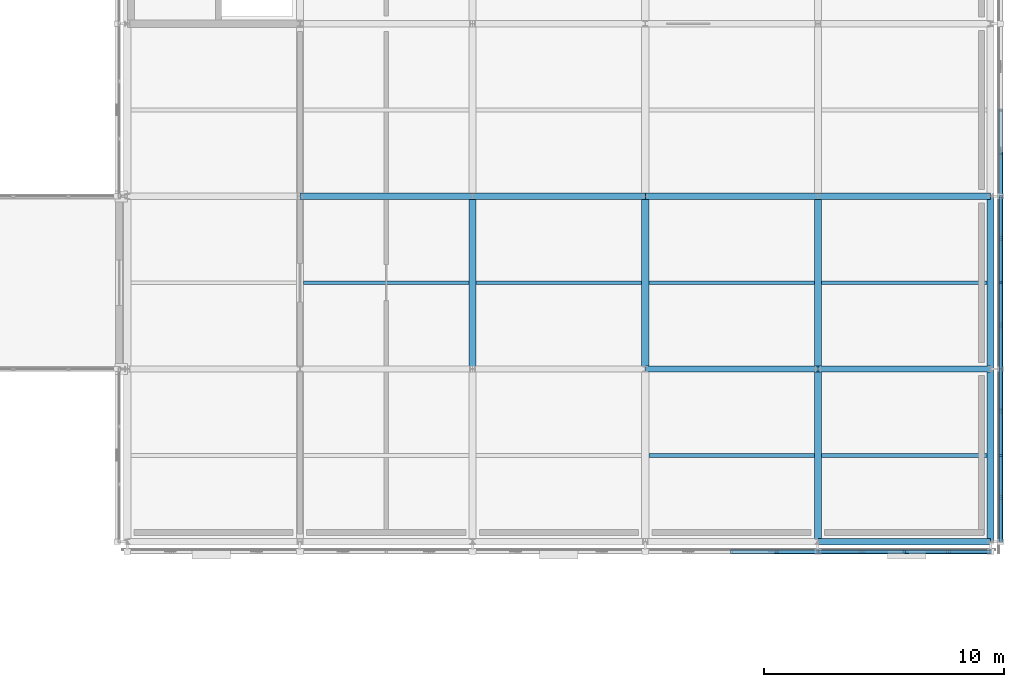
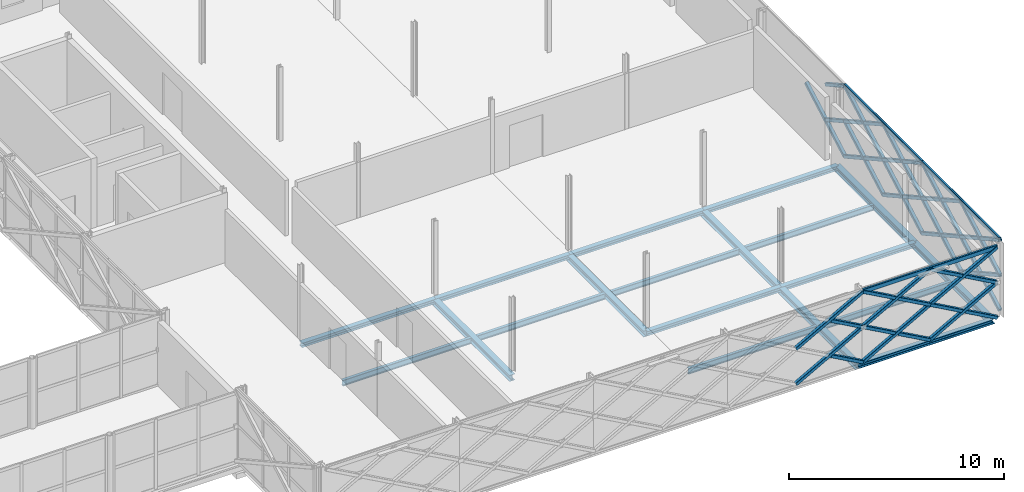
# One storey, part 59 of 126: 46 members, 19 beams.
"""IFC4 building model written with IfcOpenShell, lengths in metres."""

from ifc_helpers import new_model, si_unit, direction, frame, origin, origin_2d, place, context, subcontext, project, spatial, hollow_rectangle, i_section, extrude, material, material_profile, profile_set, type_object, element, save


model = new_model("IFC4")

# Units and contexts
model_context = context("Model", 3, precision=1e-05, world=origin(), true_north=direction((0.0, 1.0)))
body_context = subcontext(model_context, "Body", "Model", "MODEL_VIEW")
ifc_project = project(units=[si_unit("LENGTHUNIT", "METRE"), si_unit("AREAUNIT", "SQUARE_METRE"), si_unit("VOLUMEUNIT", "CUBIC_METRE"), si_unit("PLANEANGLEUNIT", "RADIAN"), si_unit("MASSUNIT", "GRAM", prefix="KILO")], contexts=[model_context])

# Site, building, storey
site_placement = place(None, origin())
site = spatial("IfcSite", under=ifc_project, at=site_placement, CompositionType="ELEMENT")
building_placement = place(site_placement, origin())
building = spatial("IfcBuilding", under=site, at=building_placement, Name="Zlatovets Crest Museum", CompositionType="ELEMENT")
storey_placement = place(building_placement, frame((0.0, 0.0, 8.699951171875)))
storey = spatial("IfcBuildingStorey", under=building, at=storey_placement, Name="L02", CompositionType="ELEMENT", Elevation=8.699951171875)

# Beams
ifc_material_1 = material(Name="Structural steel S355J2", Category="steel")
ifc_material_profile_1 = material_profile(ifc_material_1, i_section(OverallWidth=0.300048828125, OverallDepth=0.35009765625, WebThickness=0.010009765625, FlangeThickness=0.017578125, FilletRadius=0.027099609375, at=origin_2d()), Name="HEA 360")
ifc_profile_set_1 = profile_set([ifc_material_profile_1], Name="Structural steel S355J2")
beam_type_1 = type_object("IfcBeamType", Name="Beam_B-03", PredefinedType="BEAM", material=ifc_profile_set_1)
for number, where, z_axis, x_axis, name in (
    (1, (144.0, 21.60009765625, -0.39501953125), (0.0, 1.0, 0.0), (-1.0, 0.0, 0.0), "V5 L02 Grid Beam B-03"),
    (2, (151.199951171875, 21.60009765625, -0.39501953125), (0.0, 1.0, 0.0), (-1.0, 0.0, 0.0), "V5 L02 Grid Beam B-03"),
):
    element("IfcBeam", number, at=place(storey_placement, frame(where, z_axis=z_axis, x_axis=x_axis)), inside=storey, type_object=beam_type_1, Name=name, PredefinedType="BEAM", context=body_context, shape_type="SweptSolid", body=[
        extrude(i_section(OverallWidth=0.300048828125, OverallDepth=0.35009765625, WebThickness=0.010009765625, FlangeThickness=0.017578125, FilletRadius=0.027099609375, at=origin_2d()), origin(), (0.0, 0.0, 1.0), 7.199951171875),
    ])
beam_1_placement = place(storey_placement, frame((158.39990234375, 14.39990234375, -0.39501953125), z_axis=(0.0, 1.0, 0.0), x_axis=(-1.0, 0.0, 0.0)))
element("IfcBeam", 3, at=beam_1_placement, inside=storey, type_object=beam_type_1, Name="V5 L02 Grid Beam B-03", PredefinedType="BEAM", context=body_context, shape_type="SweptSolid", body=[
    extrude(i_section(OverallWidth=0.300048828125, OverallDepth=0.35009765625, WebThickness=0.010009765625, FlangeThickness=0.017578125, FilletRadius=0.027099609375, at=origin_2d()), origin(), (0.0, 0.0, 1.0), 7.2001953125),
])
beam_2_placement = place(storey_placement, frame((158.39990234375, 21.60009765625, -0.39501953125), z_axis=(0.0, 1.0, 0.0), x_axis=(-1.0, 0.0, 0.0)))
element("IfcBeam", 4, at=beam_2_placement, inside=storey, type_object=beam_type_1, Name="V5 L02 Grid Beam B-03", PredefinedType="BEAM", context=body_context, shape_type="SweptSolid", body=[
    extrude(i_section(OverallWidth=0.300048828125, OverallDepth=0.35009765625, WebThickness=0.010009765625, FlangeThickness=0.017578125, FilletRadius=0.027099609375, at=origin_2d()), origin(), (0.0, 0.0, 1.0), 7.199951171875),
])
beam_3_placement = place(storey_placement, frame((165.60009765625, 14.39990234375, -0.39501953125), z_axis=(0.0, 1.0, 0.0), x_axis=(-1.0, 0.0, 0.0)))
element("IfcBeam", 5, at=beam_3_placement, inside=storey, type_object=beam_type_1, Name="V5 L02 Grid Beam B-03", PredefinedType="BEAM", context=body_context, shape_type="SweptSolid", body=[
    extrude(i_section(OverallWidth=0.300048828125, OverallDepth=0.35009765625, WebThickness=0.010009765625, FlangeThickness=0.017578125, FilletRadius=0.027099609375, at=origin_2d()), origin(), (0.0, 0.0, 1.0), 7.2001953125),
])
beam_4_placement = place(storey_placement, frame((165.60009765625, 21.60009765625, -0.39501953125), z_axis=(0.0, 1.0, 0.0), x_axis=(-1.0, 0.0, 0.0)))
element("IfcBeam", 6, at=beam_4_placement, inside=storey, type_object=beam_type_1, Name="V5 L02 Grid Beam B-03", PredefinedType="BEAM", context=body_context, shape_type="SweptSolid", body=[
    extrude(i_section(OverallWidth=0.300048828125, OverallDepth=0.35009765625, WebThickness=0.010009765625, FlangeThickness=0.017578125, FilletRadius=0.027099609375, at=origin_2d()), origin(), (0.0, 0.0, 1.0), 7.199951171875),
])
ifc_material_profile_2 = material_profile(ifc_material_1, i_section(OverallWidth=0.260009765625, OverallDepth=0.25, WebThickness=0.007568359375, FlangeThickness=0.012451171875, FilletRadius=0.02392578125, at=origin_2d()), Name="HEA 260")
ifc_profile_set_2 = profile_set([ifc_material_profile_2], Name="Structural steel S355J2")
beam_type_2 = type_object("IfcBeamType", Name="Beam_B-13", PredefinedType="BEAM", material=ifc_profile_set_2)
beam_5_placement = place(storey_placement, frame((158.39990234375, 14.39990234375, -0.344970703125), z_axis=(1.0, 0.0, 0.0), x_axis=(0.0, 1.0, 0.0)))
element("IfcBeam", 7, at=beam_5_placement, inside=storey, type_object=beam_type_2, Name="V5 L02 Primary Girder B-13", PredefinedType="BEAM", context=body_context, shape_type="SweptSolid", body=[
    extrude(i_section(OverallWidth=0.260009765625, OverallDepth=0.25, WebThickness=0.007568359375, FlangeThickness=0.012451171875, FilletRadius=0.02392578125, at=origin_2d()), origin(), (0.0, 0.0, 1.0), 7.2001953125),
])
beam_6_placement = place(storey_placement, frame((151.199951171875, 21.60009765625, -0.344970703125), z_axis=(1.0, 0.0, 0.0), x_axis=(0.0, 1.0, 0.0)))
element("IfcBeam", 8, at=beam_6_placement, inside=storey, type_object=beam_type_2, Name="V5 L02 Primary Girder B-13", PredefinedType="BEAM", context=body_context, shape_type="SweptSolid", body=[
    extrude(i_section(OverallWidth=0.260009765625, OverallDepth=0.25, WebThickness=0.007568359375, FlangeThickness=0.012451171875, FilletRadius=0.02392578125, at=origin_2d()), origin(), (0.0, 0.0, 1.0), 7.199951171875),
])
beam_7_placement = place(storey_placement, frame((158.39990234375, 21.60009765625, -0.344970703125), z_axis=(1.0, 0.0, 0.0), x_axis=(0.0, 1.0, 0.0)))
element("IfcBeam", 9, at=beam_7_placement, inside=storey, type_object=beam_type_2, Name="V5 L02 Primary Girder B-13", PredefinedType="BEAM", context=body_context, shape_type="SweptSolid", body=[
    extrude(i_section(OverallWidth=0.260009765625, OverallDepth=0.25, WebThickness=0.007568359375, FlangeThickness=0.012451171875, FilletRadius=0.02392578125, at=origin_2d()), origin(), (0.0, 0.0, 1.0), 7.2001953125),
])
for number, where, z_axis, x_axis, name in (
    (10, (136.800048828125, 28.800048828125, -0.344970703125), (1.0, 0.0, 0.0), (0.0, 1.0, 0.0), "V5 L02 Primary Girder B-13"),
    (11, (144.0, 28.800048828125, -0.344970703125), (1.0, 0.0, 0.0), (0.0, 1.0, 0.0), "V5 L02 Primary Girder B-13"),
    (12, (151.199951171875, 28.800048828125, -0.344970703125), (1.0, 0.0, 0.0), (0.0, 1.0, 0.0), "V5 L02 Primary Girder B-13"),
):
    element("IfcBeam", number, at=place(storey_placement, frame(where, z_axis=z_axis, x_axis=x_axis)), inside=storey, type_object=beam_type_2, Name=name, PredefinedType="BEAM", context=body_context, shape_type="SweptSolid", body=[
        extrude(i_section(OverallWidth=0.260009765625, OverallDepth=0.25, WebThickness=0.007568359375, FlangeThickness=0.012451171875, FilletRadius=0.02392578125, at=origin_2d()), origin(), (0.0, 0.0, 1.0), 7.199951171875),
    ])
beam_8_placement = place(storey_placement, frame((158.39990234375, 28.800048828125, -0.344970703125), z_axis=(1.0, 0.0, 0.0), x_axis=(0.0, 1.0, 0.0)))
element("IfcBeam", 13, at=beam_8_placement, inside=storey, type_object=beam_type_2, Name="V5 L02 Primary Girder B-13", PredefinedType="BEAM", context=body_context, shape_type="SweptSolid", body=[
    extrude(i_section(OverallWidth=0.260009765625, OverallDepth=0.25, WebThickness=0.007568359375, FlangeThickness=0.012451171875, FilletRadius=0.02392578125, at=origin_2d()), origin(), (0.0, 0.0, 1.0), 7.2001953125),
])
ifc_material_profile_3 = material_profile(ifc_material_1, i_section(OverallWidth=0.159912109375, OverallDepth=0.330078125, WebThickness=0.007568359375, FlangeThickness=0.011474609375, FilletRadius=0.01806640625, at=origin_2d()), Name="IPE 330")
ifc_profile_set_3 = profile_set([ifc_material_profile_3], Name="Structural steel S355J2")
beam_type_3 = type_object("IfcBeamType", Name="Beam_J-09", PredefinedType="JOIST", material=ifc_profile_set_3)
for number, where, z_axis, x_axis, name in (
    (14, (136.949951171875, 25.199951171875, -0.385009765625), (1.0, 0.0, 0.0), (0.0, 1.0, 0.0), "V5 L02 Composite Joist J-09"),
    (15, (144.14990234375, 25.199951171875, -0.385009765625), (1.0, 0.0, 0.0), (0.0, 1.0, 0.0), "V5 L02 Composite Joist J-09"),
):
    element("IfcBeam", number, at=place(storey_placement, frame(where, z_axis=z_axis, x_axis=x_axis)), inside=storey, type_object=beam_type_3, Name=name, PredefinedType="JOIST", context=body_context, shape_type="SweptSolid", body=[
        extrude(i_section(OverallWidth=0.159912109375, OverallDepth=0.330078125, WebThickness=0.007568359375, FlangeThickness=0.011474609375, FilletRadius=0.01806640625, at=origin_2d()), origin(), (0.0, 0.0, 1.0), 6.900146484375),
    ])
for number, where, z_axis, x_axis, name in (
    (16, (151.35009765625, 18.0, -0.385009765625), (1.0, 0.0, 0.0), (0.0, 1.0, 0.0), "V5 L02 Composite Joist J-09"),
    (17, (151.35009765625, 25.199951171875, -0.385009765625), (1.0, 0.0, 0.0), (0.0, 1.0, 0.0), "V5 L02 Composite Joist J-09"),
    (18, (158.550048828125, 18.0, -0.385009765625), (1.0, 0.0, 0.0), (0.0, 1.0, 0.0), "V5 L02 Composite Joist J-09"),
    (19, (158.550048828125, 25.199951171875, -0.385009765625), (1.0, 0.0, 0.0), (0.0, 1.0, 0.0), "V5 L02 Composite Joist J-09"),
):
    element("IfcBeam", number, at=place(storey_placement, frame(where, z_axis=z_axis, x_axis=x_axis)), inside=storey, type_object=beam_type_3, Name=name, PredefinedType="JOIST", context=body_context, shape_type="SweptSolid", body=[
        extrude(i_section(OverallWidth=0.159912109375, OverallDepth=0.330078125, WebThickness=0.007568359375, FlangeThickness=0.011474609375, FilletRadius=0.01806640625, at=origin_2d()), origin(), (0.0, 0.0, 1.0), 6.89990234375),
    ])

# Members
ifc_material_2 = material(Name="Weathering bronze-steel S355J2W", Category="steel")
ifc_material_profile_4 = material_profile(ifc_material_2, hollow_rectangle(XDim=0.179931640625, YDim=0.179931640625, WallThickness=0.010009765625, InnerFilletRadius=0.010009765625, OuterFilletRadius=0.02001953125, at=origin_2d()), Name="SHS 180x180x10.0")
ifc_profile_set_4 = profile_set([ifc_material_profile_4], Name="Weathering bronze-steel S355J2W")
member_type_1 = type_object("IfcMemberType", Name="Lattice_XL-01", PredefinedType="BRACE", material=ifc_profile_set_4)
member_1_placement = place(storey_placement, frame((154.800048828125, 13.97998046875, 0.10009765625), z_axis=(0.874148886685, 0.0, 0.485658031857), x_axis=(0.0, 1.0, 0.0)))
element("IfcMember", 20, at=member_1_placement, inside=storey, type_object=member_type_1, Name="Continuous Bronze Lattice Diagonal", PredefinedType="BRACE", context=body_context, shape_type="SweptSolid", body=[
    extrude(hollow_rectangle(XDim=0.179931640625, YDim=0.179931640625, WallThickness=0.010009765625, InnerFilletRadius=0.010009765625, OuterFilletRadius=0.02001953125, at=origin_2d()), origin(), (0.0, 0.0, 1.0), 4.1181640625),
])
member_2_placement = place(storey_placement, frame((156.68310546875, 13.97998046875, 1.053955078125), z_axis=(0.874139684676, 0.0, -0.48567459443), x_axis=(0.0, 1.0, 0.0)))
element("IfcMember", 21, at=member_2_placement, inside=storey, type_object=member_type_1, Name="Split Crossing Bronze Lattice Diagonal Lower", PredefinedType="BRACE", context=body_context, shape_type="SweptSolid", body=[
    extrude(hollow_rectangle(XDim=0.179931640625, YDim=0.179931640625, WallThickness=0.010009765625, InnerFilletRadius=0.010009765625, OuterFilletRadius=0.02001953125, at=origin_2d()), origin(), (0.0, 0.0, 1.0), 1.9638671875),
])
member_3_placement = place(storey_placement, frame((154.800048828125, 13.97998046875, 2.10009765625), z_axis=(0.874148886685, 0.0, 0.485658031857), x_axis=(0.0, 1.0, 0.0)))
element("IfcMember", 22, at=member_3_placement, inside=storey, type_object=member_type_1, Name="Continuous Bronze Lattice Diagonal", PredefinedType="BRACE", context=body_context, shape_type="SweptSolid", body=[
    extrude(hollow_rectangle(XDim=0.179931640625, YDim=0.179931640625, WallThickness=0.010009765625, InnerFilletRadius=0.010009765625, OuterFilletRadius=0.02001953125, at=origin_2d()), origin(), (0.0, 0.0, 1.0), 4.1181640625),
])
member_4_placement = place(storey_placement, frame((156.68310546875, 13.97998046875, 3.053955078125), z_axis=(0.874139684676, 0.0, -0.48567459443), x_axis=(0.0, 1.0, 0.0)))
element("IfcMember", 23, at=member_4_placement, inside=storey, type_object=member_type_1, Name="Split Crossing Bronze Lattice Diagonal Lower", PredefinedType="BRACE", context=body_context, shape_type="SweptSolid", body=[
    extrude(hollow_rectangle(XDim=0.179931640625, YDim=0.179931640625, WallThickness=0.010009765625, InnerFilletRadius=0.010009765625, OuterFilletRadius=0.02001953125, at=origin_2d()), origin(), (0.0, 0.0, 1.0), 1.9638671875),
])
member_5_placement = place(storey_placement, frame((158.39990234375, 13.97998046875, 0.10009765625), z_axis=(0.874162868644, 0.0, 0.485632864501), x_axis=(0.0, 1.0, 0.0)))
element("IfcMember", 24, at=member_5_placement, inside=storey, type_object=member_type_1, Name="Continuous Bronze Lattice Diagonal", PredefinedType="BRACE", context=body_context, shape_type="SweptSolid", body=[
    extrude(hollow_rectangle(XDim=0.179931640625, YDim=0.179931640625, WallThickness=0.010009765625, InnerFilletRadius=0.010009765625, OuterFilletRadius=0.02001953125, at=origin_2d()), origin(), (0.0, 0.0, 1.0), 4.118408203125),
])
for number, where, z_axis, x_axis, name in (
    (25, (158.39990234375, 13.97998046875, 2.10009765625), (0.874169001841, 0.0, -0.485621824284), (0.0, 1.0, 0.0), "Split Crossing Bronze Lattice Diagonal Upper"),
    (26, (160.282958984375, 13.97998046875, 1.053955078125), (0.874169001841, 0.0, -0.485621824284), (0.0, 1.0, 0.0), "Split Crossing Bronze Lattice Diagonal Lower"),
):
    element("IfcMember", number, at=place(storey_placement, frame(where, z_axis=z_axis, x_axis=x_axis)), inside=storey, type_object=member_type_1, Name=name, PredefinedType="BRACE", context=body_context, shape_type="SweptSolid", body=[
        extrude(hollow_rectangle(XDim=0.179931640625, YDim=0.179931640625, WallThickness=0.010009765625, InnerFilletRadius=0.010009765625, OuterFilletRadius=0.02001953125, at=origin_2d()), origin(), (0.0, 0.0, 1.0), 1.964111328125),
    ])
member_6_placement = place(storey_placement, frame((162.0, 13.97998046875, 0.10009765625), z_axis=(0.874162868644, 0.0, 0.485632864501), x_axis=(0.0, 1.0, 0.0)))
element("IfcMember", 27, at=member_6_placement, inside=storey, type_object=member_type_1, Name="Continuous Bronze Lattice Diagonal", PredefinedType="BRACE", context=body_context, shape_type="SweptSolid", body=[
    extrude(hollow_rectangle(XDim=0.179931640625, YDim=0.179931640625, WallThickness=0.010009765625, InnerFilletRadius=0.010009765625, OuterFilletRadius=0.02001953125, at=origin_2d()), origin(), (0.0, 0.0, 1.0), 4.118408203125),
])
for number, where, z_axis, x_axis, name in (
    (28, (162.0, 13.97998046875, 2.10009765625), (0.874169001841, 0.0, -0.485621824284), (0.0, 1.0, 0.0), "Split Crossing Bronze Lattice Diagonal Upper"),
    (29, (163.883056640625, 13.97998046875, 1.053955078125), (0.874169001841, 0.0, -0.485621824284), (0.0, 1.0, 0.0), "Split Crossing Bronze Lattice Diagonal Lower"),
):
    element("IfcMember", number, at=place(storey_placement, frame(where, z_axis=z_axis, x_axis=x_axis)), inside=storey, type_object=member_type_1, Name=name, PredefinedType="BRACE", context=body_context, shape_type="SweptSolid", body=[
        extrude(hollow_rectangle(XDim=0.179931640625, YDim=0.179931640625, WallThickness=0.010009765625, InnerFilletRadius=0.010009765625, OuterFilletRadius=0.02001953125, at=origin_2d()), origin(), (0.0, 0.0, 1.0), 1.964111328125),
    ])
member_7_placement = place(storey_placement, frame((158.39990234375, 13.97998046875, 2.10009765625), z_axis=(0.874162868644, 0.0, 0.485632864501), x_axis=(0.0, 1.0, 0.0)))
element("IfcMember", 30, at=member_7_placement, inside=storey, type_object=member_type_1, Name="Continuous Bronze Lattice Diagonal", PredefinedType="BRACE", context=body_context, shape_type="SweptSolid", body=[
    extrude(hollow_rectangle(XDim=0.179931640625, YDim=0.179931640625, WallThickness=0.010009765625, InnerFilletRadius=0.010009765625, OuterFilletRadius=0.02001953125, at=origin_2d()), origin(), (0.0, 0.0, 1.0), 4.118408203125),
])
for number, where, z_axis, x_axis, name in (
    (31, (158.39990234375, 13.97998046875, 4.10009765625), (0.874169001841, 0.0, -0.485621824284), (0.0, 1.0, 0.0), "Split Crossing Bronze Lattice Diagonal Upper"),
    (32, (160.282958984375, 13.97998046875, 3.053955078125), (0.874169001841, 0.0, -0.485621824284), (0.0, 1.0, 0.0), "Split Crossing Bronze Lattice Diagonal Lower"),
):
    element("IfcMember", number, at=place(storey_placement, frame(where, z_axis=z_axis, x_axis=x_axis)), inside=storey, type_object=member_type_1, Name=name, PredefinedType="BRACE", context=body_context, shape_type="SweptSolid", body=[
        extrude(hollow_rectangle(XDim=0.179931640625, YDim=0.179931640625, WallThickness=0.010009765625, InnerFilletRadius=0.010009765625, OuterFilletRadius=0.02001953125, at=origin_2d()), origin(), (0.0, 0.0, 1.0), 1.964111328125),
    ])
member_8_placement = place(storey_placement, frame((162.0, 13.97998046875, 2.10009765625), z_axis=(0.874162868644, 0.0, 0.485632864501), x_axis=(0.0, 1.0, 0.0)))
element("IfcMember", 33, at=member_8_placement, inside=storey, type_object=member_type_1, Name="Continuous Bronze Lattice Diagonal", PredefinedType="BRACE", context=body_context, shape_type="SweptSolid", body=[
    extrude(hollow_rectangle(XDim=0.179931640625, YDim=0.179931640625, WallThickness=0.010009765625, InnerFilletRadius=0.010009765625, OuterFilletRadius=0.02001953125, at=origin_2d()), origin(), (0.0, 0.0, 1.0), 4.118408203125),
])
for number, where, z_axis, x_axis, name in (
    (34, (162.0, 13.97998046875, 4.10009765625), (0.874169001841, 0.0, -0.485621824284), (0.0, 1.0, 0.0), "Split Crossing Bronze Lattice Diagonal Upper"),
    (35, (163.883056640625, 13.97998046875, 3.053955078125), (0.874169001841, 0.0, -0.485621824284), (0.0, 1.0, 0.0), "Split Crossing Bronze Lattice Diagonal Lower"),
):
    element("IfcMember", number, at=place(storey_placement, frame(where, z_axis=z_axis, x_axis=x_axis)), inside=storey, type_object=member_type_1, Name=name, PredefinedType="BRACE", context=body_context, shape_type="SweptSolid", body=[
        extrude(hollow_rectangle(XDim=0.179931640625, YDim=0.179931640625, WallThickness=0.010009765625, InnerFilletRadius=0.010009765625, OuterFilletRadius=0.02001953125, at=origin_2d()), origin(), (0.0, 0.0, 1.0), 1.964111328125),
    ])
member_9_placement = place(storey_placement, frame((166.02001953125, 14.39990234375, 0.10009765625), z_axis=(0.0, 0.874162868644, 0.485632864501), x_axis=(-1.0, 0.0, 0.0)))
element("IfcMember", 36, at=member_9_placement, inside=storey, type_object=member_type_1, Name="Continuous Bronze Lattice Diagonal", PredefinedType="BRACE", context=body_context, shape_type="SweptSolid", body=[
    extrude(hollow_rectangle(XDim=0.179931640625, YDim=0.179931640625, WallThickness=0.010009765625, InnerFilletRadius=0.010009765625, OuterFilletRadius=0.02001953125, at=origin_2d()), origin(), (0.0, 0.0, 1.0), 4.118408203125),
])
for number, where, z_axis, x_axis, name in (
    (37, (166.02001953125, 14.39990234375, 2.10009765625), (0.0, 0.874169001841, -0.485621824284), (-1.0, 0.0, 0.0), "Split Crossing Bronze Lattice Diagonal Upper"),
    (38, (166.02001953125, 16.282958984375, 1.053955078125), (0.0, 0.874169001841, -0.485621824284), (-1.0, 0.0, 0.0), "Split Crossing Bronze Lattice Diagonal Lower"),
):
    element("IfcMember", number, at=place(storey_placement, frame(where, z_axis=z_axis, x_axis=x_axis)), inside=storey, type_object=member_type_1, Name=name, PredefinedType="BRACE", context=body_context, shape_type="SweptSolid", body=[
        extrude(hollow_rectangle(XDim=0.179931640625, YDim=0.179931640625, WallThickness=0.010009765625, InnerFilletRadius=0.010009765625, OuterFilletRadius=0.02001953125, at=origin_2d()), origin(), (0.0, 0.0, 1.0), 1.964111328125),
    ])
member_10_placement = place(storey_placement, frame((166.02001953125, 18.0, 0.10009765625), z_axis=(0.0, 0.874162868644, 0.485632864501), x_axis=(-1.0, 0.0, 0.0)))
element("IfcMember", 39, at=member_10_placement, inside=storey, type_object=member_type_1, Name="Continuous Bronze Lattice Diagonal", PredefinedType="BRACE", context=body_context, shape_type="SweptSolid", body=[
    extrude(hollow_rectangle(XDim=0.179931640625, YDim=0.179931640625, WallThickness=0.010009765625, InnerFilletRadius=0.010009765625, OuterFilletRadius=0.02001953125, at=origin_2d()), origin(), (0.0, 0.0, 1.0), 4.118408203125),
])
for number, where, z_axis, x_axis, name in (
    (40, (166.02001953125, 18.0, 2.10009765625), (0.0, 0.874169001841, -0.485621824284), (-1.0, 0.0, 0.0), "Split Crossing Bronze Lattice Diagonal Upper"),
    (41, (166.02001953125, 19.883056640625, 1.053955078125), (0.0, 0.874169001841, -0.485621824284), (-1.0, 0.0, 0.0), "Split Crossing Bronze Lattice Diagonal Lower"),
):
    element("IfcMember", number, at=place(storey_placement, frame(where, z_axis=z_axis, x_axis=x_axis)), inside=storey, type_object=member_type_1, Name=name, PredefinedType="BRACE", context=body_context, shape_type="SweptSolid", body=[
        extrude(hollow_rectangle(XDim=0.179931640625, YDim=0.179931640625, WallThickness=0.010009765625, InnerFilletRadius=0.010009765625, OuterFilletRadius=0.02001953125, at=origin_2d()), origin(), (0.0, 0.0, 1.0), 1.964111328125),
    ])
member_11_placement = place(storey_placement, frame((166.02001953125, 14.39990234375, 2.10009765625), z_axis=(0.0, 0.874162868644, 0.485632864501), x_axis=(-1.0, 0.0, 0.0)))
element("IfcMember", 42, at=member_11_placement, inside=storey, type_object=member_type_1, Name="Continuous Bronze Lattice Diagonal", PredefinedType="BRACE", context=body_context, shape_type="SweptSolid", body=[
    extrude(hollow_rectangle(XDim=0.179931640625, YDim=0.179931640625, WallThickness=0.010009765625, InnerFilletRadius=0.010009765625, OuterFilletRadius=0.02001953125, at=origin_2d()), origin(), (0.0, 0.0, 1.0), 4.118408203125),
])
for number, where, z_axis, x_axis, name in (
    (43, (166.02001953125, 14.39990234375, 4.10009765625), (0.0, 0.874169001841, -0.485621824284), (-1.0, 0.0, 0.0), "Split Crossing Bronze Lattice Diagonal Upper"),
    (44, (166.02001953125, 16.282958984375, 3.053955078125), (0.0, 0.874169001841, -0.485621824284), (-1.0, 0.0, 0.0), "Split Crossing Bronze Lattice Diagonal Lower"),
):
    element("IfcMember", number, at=place(storey_placement, frame(where, z_axis=z_axis, x_axis=x_axis)), inside=storey, type_object=member_type_1, Name=name, PredefinedType="BRACE", context=body_context, shape_type="SweptSolid", body=[
        extrude(hollow_rectangle(XDim=0.179931640625, YDim=0.179931640625, WallThickness=0.010009765625, InnerFilletRadius=0.010009765625, OuterFilletRadius=0.02001953125, at=origin_2d()), origin(), (0.0, 0.0, 1.0), 1.964111328125),
    ])
member_12_placement = place(storey_placement, frame((166.02001953125, 18.0, 2.10009765625), z_axis=(0.0, 0.874162868644, 0.485632864501), x_axis=(-1.0, 0.0, 0.0)))
element("IfcMember", 45, at=member_12_placement, inside=storey, type_object=member_type_1, Name="Continuous Bronze Lattice Diagonal", PredefinedType="BRACE", context=body_context, shape_type="SweptSolid", body=[
    extrude(hollow_rectangle(XDim=0.179931640625, YDim=0.179931640625, WallThickness=0.010009765625, InnerFilletRadius=0.010009765625, OuterFilletRadius=0.02001953125, at=origin_2d()), origin(), (0.0, 0.0, 1.0), 4.118408203125),
])
for number, where, z_axis, x_axis, name in (
    (46, (166.02001953125, 18.0, 4.10009765625), (0.0, 0.874169001841, -0.485621824284), (-1.0, 0.0, 0.0), "Split Crossing Bronze Lattice Diagonal Upper"),
    (47, (166.02001953125, 19.883056640625, 3.053955078125), (0.0, 0.874169001841, -0.485621824284), (-1.0, 0.0, 0.0), "Split Crossing Bronze Lattice Diagonal Lower"),
):
    element("IfcMember", number, at=place(storey_placement, frame(where, z_axis=z_axis, x_axis=x_axis)), inside=storey, type_object=member_type_1, Name=name, PredefinedType="BRACE", context=body_context, shape_type="SweptSolid", body=[
        extrude(hollow_rectangle(XDim=0.179931640625, YDim=0.179931640625, WallThickness=0.010009765625, InnerFilletRadius=0.010009765625, OuterFilletRadius=0.02001953125, at=origin_2d()), origin(), (0.0, 0.0, 1.0), 1.964111328125),
    ])
member_13_placement = place(storey_placement, frame((166.02001953125, 21.60009765625, 0.10009765625), z_axis=(0.0, 0.874148886685, 0.485658031857), x_axis=(-1.0, 0.0, 0.0)))
element("IfcMember", 48, at=member_13_placement, inside=storey, type_object=member_type_1, Name="Continuous Bronze Lattice Diagonal", PredefinedType="BRACE", context=body_context, shape_type="SweptSolid", body=[
    extrude(hollow_rectangle(XDim=0.179931640625, YDim=0.179931640625, WallThickness=0.010009765625, InnerFilletRadius=0.010009765625, OuterFilletRadius=0.02001953125, at=origin_2d()), origin(), (0.0, 0.0, 1.0), 4.1181640625),
])
member_14_placement = place(storey_placement, frame((166.02001953125, 21.60009765625, 2.10009765625), z_axis=(0.0, 0.874139684676, -0.48567459443), x_axis=(-1.0, 0.0, 0.0)))
element("IfcMember", 49, at=member_14_placement, inside=storey, type_object=member_type_1, Name="Split Crossing Bronze Lattice Diagonal Upper", PredefinedType="BRACE", context=body_context, shape_type="SweptSolid", body=[
    extrude(hollow_rectangle(XDim=0.179931640625, YDim=0.179931640625, WallThickness=0.010009765625, InnerFilletRadius=0.010009765625, OuterFilletRadius=0.02001953125, at=origin_2d()), origin(), (0.0, 0.0, 1.0), 1.9638671875),
])
member_15_placement = place(storey_placement, frame((166.02001953125, 23.48291015625, 1.053955078125), z_axis=(0.0, 0.874169001841, -0.485621824284), x_axis=(-1.0, 0.0, 0.0)))
element("IfcMember", 50, at=member_15_placement, inside=storey, type_object=member_type_1, Name="Split Crossing Bronze Lattice Diagonal Lower", PredefinedType="BRACE", context=body_context, shape_type="SweptSolid", body=[
    extrude(hollow_rectangle(XDim=0.179931640625, YDim=0.179931640625, WallThickness=0.010009765625, InnerFilletRadius=0.010009765625, OuterFilletRadius=0.02001953125, at=origin_2d()), origin(), (0.0, 0.0, 1.0), 1.964111328125),
])
member_16_placement = place(storey_placement, frame((166.02001953125, 25.199951171875, 0.10009765625), z_axis=(0.0, 0.874162868644, 0.485632864501), x_axis=(-1.0, 0.0, 0.0)))
element("IfcMember", 51, at=member_16_placement, inside=storey, type_object=member_type_1, Name="Continuous Bronze Lattice Diagonal", PredefinedType="BRACE", context=body_context, shape_type="SweptSolid", body=[
    extrude(hollow_rectangle(XDim=0.179931640625, YDim=0.179931640625, WallThickness=0.010009765625, InnerFilletRadius=0.010009765625, OuterFilletRadius=0.02001953125, at=origin_2d()), origin(), (0.0, 0.0, 1.0), 4.118408203125),
])
for number, where, z_axis, x_axis, name in (
    (52, (166.02001953125, 25.199951171875, 2.10009765625), (0.0, 0.874169001841, -0.485621824284), (-1.0, 0.0, 0.0), "Split Crossing Bronze Lattice Diagonal Upper"),
    (53, (166.02001953125, 27.0830078125, 1.053955078125), (0.0, 0.874169001841, -0.485621824284), (-1.0, 0.0, 0.0), "Split Crossing Bronze Lattice Diagonal Lower"),
):
    element("IfcMember", number, at=place(storey_placement, frame(where, z_axis=z_axis, x_axis=x_axis)), inside=storey, type_object=member_type_1, Name=name, PredefinedType="BRACE", context=body_context, shape_type="SweptSolid", body=[
        extrude(hollow_rectangle(XDim=0.179931640625, YDim=0.179931640625, WallThickness=0.010009765625, InnerFilletRadius=0.010009765625, OuterFilletRadius=0.02001953125, at=origin_2d()), origin(), (0.0, 0.0, 1.0), 1.964111328125),
    ])
member_17_placement = place(storey_placement, frame((166.02001953125, 21.60009765625, 2.10009765625), z_axis=(0.0, 0.874148886685, 0.485658031857), x_axis=(-1.0, 0.0, 0.0)))
element("IfcMember", 54, at=member_17_placement, inside=storey, type_object=member_type_1, Name="Continuous Bronze Lattice Diagonal", PredefinedType="BRACE", context=body_context, shape_type="SweptSolid", body=[
    extrude(hollow_rectangle(XDim=0.179931640625, YDim=0.179931640625, WallThickness=0.010009765625, InnerFilletRadius=0.010009765625, OuterFilletRadius=0.02001953125, at=origin_2d()), origin(), (0.0, 0.0, 1.0), 4.1181640625),
])
member_18_placement = place(storey_placement, frame((166.02001953125, 21.60009765625, 4.10009765625), z_axis=(0.0, 0.874139684676, -0.48567459443), x_axis=(-1.0, 0.0, 0.0)))
element("IfcMember", 55, at=member_18_placement, inside=storey, type_object=member_type_1, Name="Split Crossing Bronze Lattice Diagonal Upper", PredefinedType="BRACE", context=body_context, shape_type="SweptSolid", body=[
    extrude(hollow_rectangle(XDim=0.179931640625, YDim=0.179931640625, WallThickness=0.010009765625, InnerFilletRadius=0.010009765625, OuterFilletRadius=0.02001953125, at=origin_2d()), origin(), (0.0, 0.0, 1.0), 1.9638671875),
])
member_19_placement = place(storey_placement, frame((166.02001953125, 23.48291015625, 3.053955078125), z_axis=(0.0, 0.874169001841, -0.485621824284), x_axis=(-1.0, 0.0, 0.0)))
element("IfcMember", 56, at=member_19_placement, inside=storey, type_object=member_type_1, Name="Split Crossing Bronze Lattice Diagonal Lower", PredefinedType="BRACE", context=body_context, shape_type="SweptSolid", body=[
    extrude(hollow_rectangle(XDim=0.179931640625, YDim=0.179931640625, WallThickness=0.010009765625, InnerFilletRadius=0.010009765625, OuterFilletRadius=0.02001953125, at=origin_2d()), origin(), (0.0, 0.0, 1.0), 1.964111328125),
])
member_20_placement = place(storey_placement, frame((166.02001953125, 25.199951171875, 2.10009765625), z_axis=(0.0, 0.874162868644, 0.485632864501), x_axis=(-1.0, 0.0, 0.0)))
element("IfcMember", 57, at=member_20_placement, inside=storey, type_object=member_type_1, Name="Continuous Bronze Lattice Diagonal", PredefinedType="BRACE", context=body_context, shape_type="SweptSolid", body=[
    extrude(hollow_rectangle(XDim=0.179931640625, YDim=0.179931640625, WallThickness=0.010009765625, InnerFilletRadius=0.010009765625, OuterFilletRadius=0.02001953125, at=origin_2d()), origin(), (0.0, 0.0, 1.0), 4.118408203125),
])
for number, where, z_axis, x_axis, name in (
    (58, (166.02001953125, 25.199951171875, 4.10009765625), (0.0, 0.874169001841, -0.485621824284), (-1.0, 0.0, 0.0), "Split Crossing Bronze Lattice Diagonal Upper"),
    (59, (166.02001953125, 27.0830078125, 3.053955078125), (0.0, 0.874169001841, -0.485621824284), (-1.0, 0.0, 0.0), "Split Crossing Bronze Lattice Diagonal Lower"),
):
    element("IfcMember", number, at=place(storey_placement, frame(where, z_axis=z_axis, x_axis=x_axis)), inside=storey, type_object=member_type_1, Name=name, PredefinedType="BRACE", context=body_context, shape_type="SweptSolid", body=[
        extrude(hollow_rectangle(XDim=0.179931640625, YDim=0.179931640625, WallThickness=0.010009765625, InnerFilletRadius=0.010009765625, OuterFilletRadius=0.02001953125, at=origin_2d()), origin(), (0.0, 0.0, 1.0), 1.964111328125),
    ])
member_21_placement = place(storey_placement, frame((166.02001953125, 28.800048828125, 0.10009765625), z_axis=(0.0, 0.874148886685, 0.485658031857), x_axis=(-1.0, 0.0, 0.0)))
element("IfcMember", 60, at=member_21_placement, inside=storey, type_object=member_type_1, Name="Continuous Bronze Lattice Diagonal", PredefinedType="BRACE", context=body_context, shape_type="SweptSolid", body=[
    extrude(hollow_rectangle(XDim=0.179931640625, YDim=0.179931640625, WallThickness=0.010009765625, InnerFilletRadius=0.010009765625, OuterFilletRadius=0.02001953125, at=origin_2d()), origin(), (0.0, 0.0, 1.0), 4.1181640625),
])
for number, where, z_axis, x_axis, name in (
    (61, (166.02001953125, 28.800048828125, 2.10009765625), (0.0, 0.874169001841, -0.485621824284), (-1.0, 0.0, 0.0), "Split Crossing Bronze Lattice Diagonal Upper"),
    (62, (166.02001953125, 28.800048828125, 4.10009765625), (0.0, 0.874169001841, -0.485621824284), (-1.0, 0.0, 0.0), "Split Crossing Bronze Lattice Diagonal Upper"),
):
    element("IfcMember", number, at=place(storey_placement, frame(where, z_axis=z_axis, x_axis=x_axis)), inside=storey, type_object=member_type_1, Name=name, PredefinedType="BRACE", context=body_context, shape_type="SweptSolid", body=[
        extrude(hollow_rectangle(XDim=0.179931640625, YDim=0.179931640625, WallThickness=0.010009765625, InnerFilletRadius=0.010009765625, OuterFilletRadius=0.02001953125, at=origin_2d()), origin(), (0.0, 0.0, 1.0), 1.964111328125),
    ])
ifc_material_profile_5 = material_profile(ifc_material_2, hollow_rectangle(XDim=0.1201171875, YDim=0.239990234375, WallThickness=0.010009765625, InnerFilletRadius=0.010009765625, OuterFilletRadius=0.02001953125, at=origin_2d()), Name="RHS 120x240x10.0")
ifc_profile_set_5 = profile_set([ifc_material_profile_5], Name="Weathering bronze-steel S355J2W")
member_type_2 = type_object("IfcMemberType", Name="Lattice_XL-04", PredefinedType="CHORD", material=ifc_profile_set_5)
for number, where, z_axis, x_axis, name in (
    (63, (158.39990234375, 13.97998046875, 4.10009765625), (1.0, 0.0, 0.0), (0.0, 1.0, 0.0), "Art Nouveau Woven Cage Collector Ring Chord"),
    (64, (166.02001953125, 14.39990234375, 4.10009765625), (0.0, 1.0, 0.0), (-1.0, 0.0, 0.0), "Art Nouveau Woven Cage Collector Ring Chord"),
):
    element("IfcMember", number, at=place(storey_placement, frame(where, z_axis=z_axis, x_axis=x_axis)), inside=storey, type_object=member_type_2, Name=name, PredefinedType="CHORD", context=body_context, shape_type="SweptSolid", body=[
        extrude(hollow_rectangle(XDim=0.1201171875, YDim=0.239990234375, WallThickness=0.010009765625, InnerFilletRadius=0.010009765625, OuterFilletRadius=0.02001953125, at=origin_2d()), origin(), (0.0, 0.0, 1.0), 7.2001953125),
    ])
member_22_placement = place(storey_placement, frame((166.02001953125, 21.60009765625, 4.10009765625), z_axis=(0.0, 1.0, 0.0), x_axis=(-1.0, 0.0, 0.0)))
element("IfcMember", 65, at=member_22_placement, inside=storey, type_object=member_type_2, Name="Art Nouveau Woven Cage Collector Ring Chord", PredefinedType="CHORD", context=body_context, shape_type="SweptSolid", body=[
    extrude(hollow_rectangle(XDim=0.1201171875, YDim=0.239990234375, WallThickness=0.010009765625, InnerFilletRadius=0.010009765625, OuterFilletRadius=0.02001953125, at=origin_2d()), origin(), (0.0, 0.0, 1.0), 7.199951171875),
])

save(model, "model.ifc")
